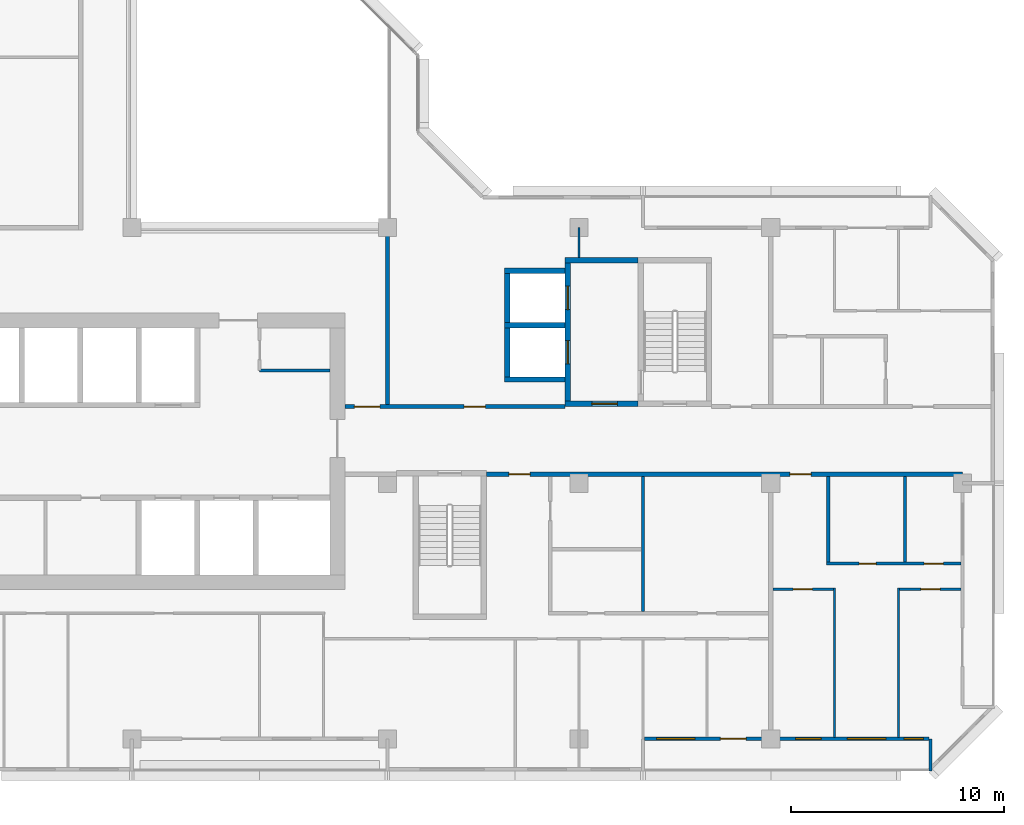
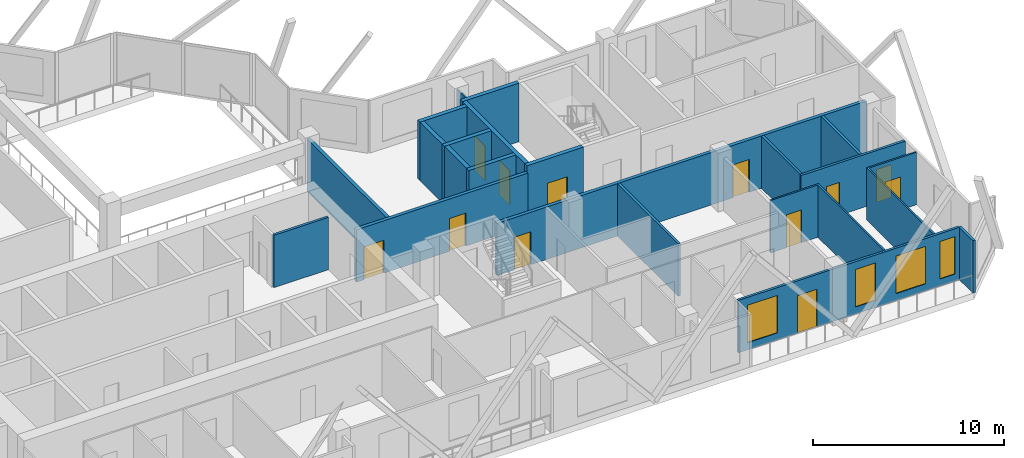
# One storey, part 7 of 16: 23 walls, 12 doors, 4 windows, 16 openings.
"""IFC4 building model written with IfcOpenShell, lengths in metres."""

from ifc_helpers import new_model, si_unit, direction, frame, frame_2d, origin, place, context, subcontext, project, spatial, rectangle, extrude, material, layer, layer_set, type_object, element, fill, save


model = new_model("IFC4")

# Units and contexts
model_context = context("Model", 3, precision=1e-05, world=origin(), true_north=direction((0.0, 1.0)))
body_context = subcontext(model_context, "Body", "Model", "MODEL_VIEW")
ifc_project = project(units=[si_unit("LENGTHUNIT", "METRE"), si_unit("AREAUNIT", "SQUARE_METRE"), si_unit("VOLUMEUNIT", "CUBIC_METRE"), si_unit("PLANEANGLEUNIT", "RADIAN"), si_unit("MASSUNIT", "GRAM", prefix="KILO")], contexts=[model_context])

# Site, building, storey
site_placement = place(None, origin())
site = spatial("IfcSite", under=ifc_project, at=site_placement, CompositionType="ELEMENT")
building_placement = place(site_placement, origin())
building = spatial("IfcBuilding", under=site, at=building_placement, Name="Chenar Terraces", CompositionType="ELEMENT")
storey_placement = place(building_placement, frame((0.0, 0.0, 219.14990234375)))
storey = spatial("IfcBuildingStorey", under=building, at=storey_placement, Name="L51", CompositionType="ELEMENT", Elevation=219.14990234375)

# Wall
ifc_material_1 = material(Name="Gypsum board on steel studs", Category="steel")
ifc_layer_1 = layer(ifc_material_1, 0.14990234375)
ifc_layer_set_1 = layer_set([ifc_layer_1], Name="Gypsum board on steel studs")
wall_type_1 = type_object("IfcWallType", Name="Core partition 150 gypsum board", PredefinedType="PARTITIONING", material=ifc_layer_set_1)
wall_1_placement = place(storey_placement, frame((30.0, 17.300048828125, 0.0), z_axis=(0.0, 0.0, 1.0), x_axis=(1.0, 0.0, 0.0)))
element("IfcWall", 1, at=wall_1_placement, inside=storey, type_object=wall_type_1, Name="Core partition CP1 vestibule room south wall", PredefinedType="PARTITIONING", context=body_context, shape_type="SweptSolid", body=[
    extrude(rectangle(XDim=3.300048828125, YDim=0.14990234375, at=frame_2d((1.64990234375, 0.0))), origin(), (0.0, 0.0, 1.0), 3.35009765625),
])

# Wall, opening, door
ifc_material_2 = material(Name="Concrete C60/75", Category="concrete")
ifc_layer_2 = layer(ifc_material_2, 0.25)
ifc_layer_set_2 = layer_set([ifc_layer_2], Name="Concrete C60/75")
wall_type_2 = type_object("IfcWallType", Name="Core wall 250 Concrete C60/75", PredefinedType="SHEAR", material=ifc_layer_set_2)
wall_2_placement = place(storey_placement, frame((44.35009765625, 15.72509765625, 0.0), z_axis=(0.0, 0.0, 1.0), x_axis=(1.0, 0.0, 0.0)))
wall_2 = element("IfcWall", 2, at=wall_2_placement, inside=storey, type_object=wall_type_2, Name="Core wall F3_LS L51", PredefinedType="SHEAR", context=body_context, shape_type="SweptSolid", body=[
    extrude(rectangle(XDim=3.4248046875, YDim=0.25, at=frame_2d((1.71240234375, 0.0))), origin(), (0.0, 0.0, 1.0), 3.75),
])
opening_1_placement = place(wall_2_placement, frame((1.25, 0.0, 0.0)))
opening_1 = element("IfcOpeningElement", 3, at=opening_1_placement, cuts=wall_2, Name="Opening DL51-C10", PredefinedType="OPENING", context=body_context, shape_type="SweptSolid", body=[
    extrude(rectangle(XDim=1.199951171875, YDim=2.199951171875, at=frame_2d((0.60009765625, 1.10009765625))), frame((0.0, 0.135009765625, 0.0), z_axis=(0.0, -1.0, 0.0), x_axis=(1.0, 0.0, 0.0)), (0.0, 0.0, 1.0), 0.27001953125),
])
ifc_material_3 = material(Name="Steel-framed fire-resisting door leaf", Category="steel")
door_type_1 = type_object("IfcDoorType", Name="Lobby fire door FD60 1200 x 2200", OperationType="SINGLE_SWING_LEFT", PredefinedType="DOOR", material=ifc_material_3)
door_1_placement = place(opening_1_placement, origin())
door_1 = element("IfcDoor", 4, at=door_1_placement, inside=storey, type_object=door_type_1, Name="Core door DL51-C10", OperationType="SINGLE_SWING_RIGHT", OverallHeight=2.199951171875, OverallWidth=1.199951171875, PredefinedType="DOOR", context=body_context, shape_type="SweptSolid", body=[
    extrude(rectangle(XDim=1.199951171875, YDim=2.199951171875, at=frame_2d((0.60009765625, 1.10009765625))), frame((0.0, 0.02490234375, 0.0), z_axis=(0.0, -1.0, 0.0), x_axis=(1.0, 0.0, 0.0)), (0.0, 0.0, 1.0), 0.050048828125),
])
fill(opening_1, door_1)

# Wall
wall_3_placement = place(storey_placement, frame((44.35009765625, 22.47509765625, 0.0), z_axis=(0.0, 0.0, 1.0), x_axis=(1.0, 0.0, 0.0)))
element("IfcWall", 5, at=wall_3_placement, inside=storey, type_object=wall_type_2, Name="Core wall F3_LN L51", PredefinedType="SHEAR", context=body_context, shape_type="SweptSolid", body=[
    extrude(rectangle(XDim=3.4248046875, YDim=0.25, at=frame_2d((1.71240234375, 0.0))), origin(), (0.0, 0.0, 1.0), 3.75),
])

# Wall, openings, doors
wall_4_placement = place(storey_placement, frame((44.47509765625, 15.85009765625, 0.0), z_axis=(0.0, 0.0, 1.0), x_axis=(0.0, 1.0, 0.0)))
wall_4 = element("IfcWall", 6, at=wall_4_placement, inside=storey, type_object=wall_type_2, Name="Core wall F3_LW L51", PredefinedType="SHEAR", context=body_context, shape_type="SweptSolid", body=[
    extrude(rectangle(XDim=6.5, YDim=0.25, at=frame_2d((3.25, 0.0))), origin(), (0.0, 0.0, 1.0), 3.75),
])
opening_2_placement = place(wall_4_placement, frame((1.75, 0.0, 0.0)))
opening_2 = element("IfcOpeningElement", 7, at=opening_2_placement, cuts=wall_4, Name="Opening DL51-LD8", PredefinedType="OPENING", context=body_context, shape_type="SweptSolid", body=[
    extrude(rectangle(XDim=1.10009765625, YDim=2.199951171875, at=frame_2d((0.550048828125, 1.10009765625))), frame((0.0, 0.135009765625, 0.0), z_axis=(0.0, -1.0, 0.0), x_axis=(1.0, 0.0, 0.0)), (0.0, 0.0, 1.0), 0.27001953125),
])
opening_3_placement = place(wall_4_placement, frame((4.300048828125, 0.0, 0.0)))
opening_3 = element("IfcOpeningElement", 8, at=opening_3_placement, cuts=wall_4, Name="Opening DL51-LD9", PredefinedType="OPENING", context=body_context, shape_type="SweptSolid", body=[
    extrude(rectangle(XDim=1.10009765625, YDim=2.199951171875, at=frame_2d((0.550048828125, 1.10009765625))), frame((0.0, 0.135009765625, 0.0), z_axis=(0.0, -1.0, 0.0), x_axis=(1.0, 0.0, 0.0)), (0.0, 0.0, 1.0), 0.27001953125),
])
ifc_material_4 = material(Name="Stainless steel", Category="steel")
door_type_2 = type_object("IfcDoorType", Name="Lift landing door 1100 x 2200 sliding", OperationType="DOUBLE_DOOR_SLIDING", PredefinedType="DOOR", material=ifc_material_4)
door_2_placement = place(opening_2_placement, origin())
door_2 = element("IfcDoor", 9, at=door_2_placement, inside=storey, type_object=door_type_2, Name="Landing door F3", OperationType="DOUBLE_DOOR_SLIDING", OverallHeight=2.199951171875, OverallWidth=1.10009765625, PredefinedType="DOOR", context=body_context, shape_type="SweptSolid", body=[
    extrude(rectangle(XDim=1.10009765625, YDim=2.199951171875, at=frame_2d((0.550048828125, 1.10009765625))), frame((0.0, 0.02490234375, 0.0), z_axis=(0.0, -1.0, 0.0), x_axis=(1.0, 0.0, 0.0)), (0.0, 0.0, 1.0), 0.050048828125),
])
fill(opening_2, door_2)
door_3_placement = place(opening_3_placement, origin())
door_3 = element("IfcDoor", 10, at=door_3_placement, inside=storey, type_object=door_type_2, Name="Landing door F4", OperationType="DOUBLE_DOOR_SLIDING", OverallHeight=2.199951171875, OverallWidth=1.10009765625, PredefinedType="DOOR", context=body_context, shape_type="SweptSolid", body=[
    extrude(rectangle(XDim=1.10009765625, YDim=2.199951171875, at=frame_2d((0.550048828125, 1.10009765625))), frame((0.0, 0.02490234375, 0.0), z_axis=(0.0, -1.0, 0.0), x_axis=(1.0, 0.0, 0.0)), (0.0, 0.0, 1.0), 0.050048828125),
])
fill(opening_3, door_3)

# Walls
for number, where, z_axis, x_axis, name in (
    (11, (41.5, 16.875, 0.0), (0.0, 0.0, 1.0), (1.0, 0.0, 0.0), "Core wall F3_SS L51"),
    (12, (41.5, 19.425048828125, 0.0), (0.0, 0.0, 1.0), (1.0, 0.0, 0.0), "Core wall F3_SM L51"),
    (13, (41.5, 21.97509765625, 0.0), (0.0, 0.0, 1.0), (1.0, 0.0, 0.0), "Core wall F4_SN L51"),
):
    element("IfcWall", number, at=place(storey_placement, frame(where, z_axis=z_axis, x_axis=x_axis)), inside=storey, type_object=wall_type_2, Name=name, PredefinedType="SHEAR", context=body_context, shape_type="SweptSolid", body=[
        extrude(rectangle(XDim=2.85009765625, YDim=0.25, at=frame_2d((1.425048828125, 0.0))), origin(), (0.0, 0.0, 1.0), 3.75),
    ])
for number, where, z_axis, x_axis, name in (
    (14, (41.625, 17.0, 0.0), (0.0, 0.0, 1.0), (0.0, 1.0, 0.0), "Core wall F3_SW L51"),
    (15, (41.625, 19.550048828125, 0.0), (0.0, 0.0, 1.0), (0.0, 1.0, 0.0), "Core wall F4_SW L51"),
):
    element("IfcWall", number, at=place(storey_placement, frame(where, z_axis=z_axis, x_axis=x_axis)), inside=storey, type_object=wall_type_2, Name=name, PredefinedType="SHEAR", context=body_context, shape_type="SweptSolid", body=[
        extrude(rectangle(XDim=2.300048828125, YDim=0.25, at=frame_2d((1.14990234375, 0.0))), origin(), (0.0, 0.0, 1.0), 3.75),
    ])

# Wall, openings, doors
ifc_material_5 = material(Name="Gypsum board on steel studs with fire boards", Category="steel")
ifc_layer_3 = layer(ifc_material_5, 0.199951171875)
ifc_layer_set_3 = layer_set([ifc_layer_3], Name="Gypsum board on steel studs with fire boards")
wall_type_3 = type_object("IfcWallType", Name="Corridor wall 200", PredefinedType="PARTITIONING", material=ifc_layer_set_3)
wall_5_placement = place(storey_placement, frame((34.0, 15.60009765625, 0.0), z_axis=(0.0, 0.0, 1.0), x_axis=(1.0, 0.0, 0.0)))
wall_5 = element("IfcWall", 16, at=wall_5_placement, inside=storey, type_object=wall_type_3, Name="Partition L51-064", PredefinedType="PARTITIONING", context=body_context, shape_type="SweptSolid", body=[
    extrude(rectangle(XDim=10.35009765625, YDim=0.199951171875, at=frame_2d((5.175048828125, 0.0))), origin(), (0.0, 0.0, 1.0), 3.35009765625),
])
opening_4_placement = place(wall_5_placement, frame((5.60009765625, 0.0, 0.0)))
opening_4 = element("IfcOpeningElement", 17, at=opening_4_placement, cuts=wall_5, Name="Opening DL51-3", PredefinedType="OPENING", context=body_context, shape_type="SweptSolid", body=[
    extrude(rectangle(XDim=1.0, YDim=2.10009765625, at=frame_2d((0.5, 1.050048828125))), frame((0.0, 0.10986328125, 0.0), z_axis=(0.0, -1.0, 0.0), x_axis=(1.0, 0.0, 0.0)), (0.0, 0.0, 1.0), 0.219970703125),
])
opening_5_placement = place(wall_5_placement, frame((0.449951171875, 0.0, 0.0)))
opening_5 = element("IfcOpeningElement", 18, at=opening_5_placement, cuts=wall_5, Name="Opening DL51-38", PredefinedType="OPENING", context=body_context, shape_type="SweptSolid", body=[
    extrude(rectangle(XDim=1.199951171875, YDim=2.10009765625, at=frame_2d((0.60009765625, 1.050048828125))), frame((0.0, 0.10986328125, 0.0), z_axis=(0.0, -1.0, 0.0), x_axis=(1.0, 0.0, 0.0)), (0.0, 0.0, 1.0), 0.219970703125),
])
ifc_material_6 = material(Name="Steel-framed fire-resisting door leaf", Category="steel")
door_type_3 = type_object("IfcDoorType", Name="Fire door FD60 1000 x 2100", OperationType="SINGLE_SWING_LEFT", PredefinedType="DOOR", material=ifc_material_6)
door_4_placement = place(opening_4_placement, origin())
door_4 = element("IfcDoor", 19, at=door_4_placement, inside=storey, type_object=door_type_3, Name="Door DL51-3", OperationType="SINGLE_SWING_RIGHT", OverallHeight=2.10009765625, OverallWidth=1.0, PredefinedType="DOOR", context=body_context, shape_type="SweptSolid", body=[
    extrude(rectangle(XDim=1.0, YDim=2.10009765625, at=frame_2d((0.5, 1.050048828125))), frame((0.0, 0.02490234375, 0.0), z_axis=(0.0, -1.0, 0.0), x_axis=(1.0, 0.0, 0.0)), (0.0, 0.0, 1.0), 0.050048828125),
])
fill(opening_4, door_4)
ifc_material_7 = material(Name="Steel-framed fire-resisting door leaf", Category="steel")
door_type_4 = type_object("IfcDoorType", Name="Fire door FD60 1200 x 2100", OperationType="SINGLE_SWING_LEFT", PredefinedType="DOOR", material=ifc_material_7)
door_5_placement = place(opening_5_placement, origin())
door_5 = element("IfcDoor", 20, at=door_5_placement, inside=storey, type_object=door_type_4, Name="Door DL51-38", OperationType="SINGLE_SWING_RIGHT", OverallHeight=2.10009765625, OverallWidth=1.199951171875, PredefinedType="DOOR", context=body_context, shape_type="SweptSolid", body=[
    extrude(rectangle(XDim=1.199951171875, YDim=2.10009765625, at=frame_2d((0.60009765625, 1.050048828125))), frame((0.0, 0.02490234375, 0.0), z_axis=(0.0, -1.0, 0.0), x_axis=(1.0, 0.0, 0.0)), (0.0, 0.0, 1.0), 0.050048828125),
])
fill(opening_5, door_5)

# Wall
wall_6_placement = place(storey_placement, frame((36.0, 15.699951171875, 0.0), z_axis=(0.0, 0.0, 1.0), x_axis=(0.0, 1.0, 0.0)))
element("IfcWall", 21, at=wall_6_placement, inside=storey, type_object=wall_type_3, Name="Partition L51-065", PredefinedType="PARTITIONING", context=body_context, shape_type="SweptSolid", body=[
    extrude(rectangle(XDim=8.300048828125, YDim=0.199951171875, at=frame_2d((4.14990234375, 0.0))), origin(), (0.0, 0.0, 1.0), 3.35009765625),
])

# Wall, openings, doors
wall_7_placement = place(storey_placement, frame((40.64990234375, 12.425048828125, 0.0), z_axis=(0.0, 0.0, 1.0), x_axis=(1.0, 0.0, 0.0)))
wall_7 = element("IfcWall", 22, at=wall_7_placement, inside=storey, type_object=wall_type_3, Name="Partition L51-066", PredefinedType="PARTITIONING", context=body_context, shape_type="SweptSolid", body=[
    extrude(rectangle(XDim=22.35009765625, YDim=0.199951171875, at=frame_2d((11.175048828125, 0.0))), origin(), (0.0, 0.0, 1.0), 3.35009765625),
])
opening_6_placement = place(wall_7_placement, frame((14.25, 0.0, 0.0)))
opening_6 = element("IfcOpeningElement", 23, at=opening_6_placement, cuts=wall_7, Name="Opening DL51-13", PredefinedType="OPENING", context=body_context, shape_type="SweptSolid", body=[
    extrude(rectangle(XDim=1.0, YDim=2.10009765625, at=frame_2d((0.5, 1.050048828125))), frame((0.0, 0.10986328125, 0.0), z_axis=(0.0, -1.0, 0.0), x_axis=(1.0, 0.0, 0.0)), (0.0, 0.0, 1.0), 0.219970703125),
])
opening_7_placement = place(wall_7_placement, frame((1.050048828125, 0.0, 0.0)))
opening_7 = element("IfcOpeningElement", 24, at=opening_7_placement, cuts=wall_7, Name="Opening DL51-56", PredefinedType="OPENING", context=body_context, shape_type="SweptSolid", body=[
    extrude(rectangle(XDim=1.0, YDim=2.10009765625, at=frame_2d((0.5, 1.050048828125))), frame((0.0, 0.10986328125, 0.0), z_axis=(0.0, -1.0, 0.0), x_axis=(1.0, 0.0, 0.0)), (0.0, 0.0, 1.0), 0.219970703125),
])
ifc_material_8 = material(Name="Steel-framed fire-resisting door leaf", Category="steel")
door_type_5 = type_object("IfcDoorType", Name="Fire door FD30S 1000 x 2100", OperationType="SINGLE_SWING_LEFT", PredefinedType="DOOR", material=ifc_material_8)
door_6_placement = place(opening_6_placement, frame((1.0, 0.0, 0.0), z_axis=(0.0, 0.0, 1.0), x_axis=(-1.0, 0.0, 0.0)))
door_6 = element("IfcDoor", 25, at=door_6_placement, inside=storey, type_object=door_type_5, Name="Door DL51-13", OperationType="SINGLE_SWING_RIGHT", OverallHeight=2.10009765625, OverallWidth=1.0, PredefinedType="DOOR", context=body_context, shape_type="SweptSolid", body=[
    extrude(rectangle(XDim=1.0, YDim=2.10009765625, at=frame_2d((0.5, 1.050048828125))), frame((0.0, 0.02490234375, 0.0), z_axis=(0.0, -1.0, 0.0), x_axis=(1.0, 0.0, 0.0)), (0.0, 0.0, 1.0), 0.050048828125),
])
fill(opening_6, door_6)
door_7_placement = place(opening_7_placement, origin())
door_7 = element("IfcDoor", 26, at=door_7_placement, inside=storey, type_object=door_type_5, Name="Door DL51-56", OperationType="SINGLE_SWING_LEFT", OverallHeight=2.10009765625, OverallWidth=1.0, PredefinedType="DOOR", context=body_context, shape_type="SweptSolid", body=[
    extrude(rectangle(XDim=1.0, YDim=2.10009765625, at=frame_2d((0.5, 1.050048828125))), frame((0.0, 0.02490234375, 0.0), z_axis=(0.0, -1.0, 0.0), x_axis=(1.0, 0.0, 0.0)), (0.0, 0.0, 1.0), 0.050048828125),
])
fill(opening_7, door_7)

# Wall, openings, windows, door
ifc_material_9 = material(Name="Aluminium framed glazing", Category="aluminium")
ifc_layer_4 = layer(ifc_material_9, 0.14990234375)
ifc_layer_set_4 = layer_set([ifc_layer_4], Name="Aluminium framed glazing")
wall_type_4 = type_object("IfcWallType", Name="Glazed loggia back wall 150", PredefinedType="SOLIDWALL", material=ifc_layer_set_4)
wall_8_placement = place(storey_placement, frame((48.074951171875, 0.0, 0.0), z_axis=(0.0, 0.0, 1.0), x_axis=(1.0, 0.0, 0.0)))
wall_8 = element("IfcWall", 27, at=wall_8_placement, inside=storey, type_object=wall_type_4, Name="Glazed loggia back wall", PredefinedType="SOLIDWALL", context=body_context, shape_type="SweptSolid", body=[
    extrude(rectangle(XDim=13.35009765625, YDim=0.14990234375, at=frame_2d((6.675048828125, 0.0))), origin(), (0.0, 0.0, 1.0), 3.35009765625),
])
opening_8_placement = place(wall_8_placement, frame((0.5625, 0.0, 0.449951171875)))
opening_8 = element("IfcOpeningElement", 28, at=opening_8_placement, cuts=wall_8, Name="Opening W180x240", PredefinedType="OPENING", context=body_context, shape_type="SweptSolid", body=[
    extrude(rectangle(XDim=1.800048828125, YDim=2.39990234375, at=frame_2d((0.89990234375, 1.199951171875))), frame((0.0, 0.0849609375, 0.0), z_axis=(0.0, -1.0, 0.0), x_axis=(1.0, 0.0, 0.0)), (0.0, 0.0, 1.0), 0.169921875),
])
opening_9_placement = place(wall_8_placement, frame((3.5625, 0.0, 0.0)))
opening_9 = element("IfcOpeningElement", 29, at=opening_9_placement, cuts=wall_8, Name="Opening DL51-G7", PredefinedType="OPENING", context=body_context, shape_type="SweptSolid", body=[
    extrude(rectangle(XDim=1.199951171875, YDim=2.39990234375, at=frame_2d((0.60009765625, 1.199951171875))), frame((0.0, 0.0849609375, 0.0), z_axis=(0.0, -1.0, 0.0), x_axis=(1.0, 0.0, 0.0)), (0.0, 0.0, 1.0), 0.169921875),
])
opening_10_placement = place(wall_8_placement, frame((7.08740234375, 0.0, 0.449951171875)))
opening_10 = element("IfcOpeningElement", 30, at=opening_10_placement, cuts=wall_8, Name="Opening W120x240", PredefinedType="OPENING", context=body_context, shape_type="SweptSolid", body=[
    extrude(rectangle(XDim=1.199951171875, YDim=2.39990234375, at=frame_2d((0.60009765625, 1.199951171875))), frame((0.0, 0.0849609375, 0.0), z_axis=(0.0, -1.0, 0.0), x_axis=(1.0, 0.0, 0.0)), (0.0, 0.0, 1.0), 0.169921875),
])
opening_11_placement = place(wall_8_placement, frame((9.52490234375, 0.0, 0.449951171875)))
opening_11 = element("IfcOpeningElement", 31, at=opening_11_placement, cuts=wall_8, Name="Opening W180x240", PredefinedType="OPENING", context=body_context, shape_type="SweptSolid", body=[
    extrude(rectangle(XDim=1.800048828125, YDim=2.39990234375, at=frame_2d((0.89990234375, 1.199951171875))), frame((0.0, 0.0849609375, 0.0), z_axis=(0.0, -1.0, 0.0), x_axis=(1.0, 0.0, 0.0)), (0.0, 0.0, 1.0), 0.169921875),
])
opening_12_placement = place(wall_8_placement, frame((12.1875, 0.0, 0.449951171875)))
opening_12 = element("IfcOpeningElement", 32, at=opening_12_placement, cuts=wall_8, Name="Opening W90x240", PredefinedType="OPENING", context=body_context, shape_type="SweptSolid", body=[
    extrude(rectangle(XDim=0.89990234375, YDim=2.39990234375, at=frame_2d((0.449951171875, 1.199951171875))), frame((0.0, 0.0849609375, 0.0), z_axis=(0.0, -1.0, 0.0), x_axis=(1.0, 0.0, 0.0)), (0.0, 0.0, 1.0), 0.169921875),
])
ifc_material_10 = material(Name="Low emissivity double glazing, aluminium frame", Category="aluminium")
window_type_1 = type_object("IfcWindowType", Name="Fixed light 1200 x 2400", PartitioningType="SINGLE_PANEL", PredefinedType="WINDOW", material=ifc_material_10)
window_1_placement = place(opening_10_placement, origin())
window_1 = element("IfcWindow", 33, at=window_1_placement, inside=storey, type_object=window_type_1, Name="Window", OverallHeight=2.39990234375, OverallWidth=1.199951171875, PartitioningType="SINGLE_PANEL", PredefinedType="WINDOW", context=body_context, shape_type="SweptSolid", body=[
    extrude(rectangle(XDim=1.199951171875, YDim=2.39990234375, at=frame_2d((0.60009765625, 1.199951171875))), frame((0.0, 0.030029296875, 0.0), z_axis=(0.0, -1.0, 0.0), x_axis=(1.0, 0.0, 0.0)), (0.0, 0.0, 1.0), 0.06005859375),
])
fill(opening_10, window_1)
ifc_material_11 = material(Name="Low emissivity double glazing, aluminium frame", Category="aluminium")
window_type_2 = type_object("IfcWindowType", Name="Fixed light 1800 x 2400", PartitioningType="SINGLE_PANEL", PredefinedType="WINDOW", material=ifc_material_11)
window_2_placement = place(opening_8_placement, origin())
window_2 = element("IfcWindow", 34, at=window_2_placement, inside=storey, type_object=window_type_2, Name="Window", OverallHeight=2.39990234375, OverallWidth=1.800048828125, PartitioningType="SINGLE_PANEL", PredefinedType="WINDOW", context=body_context, shape_type="SweptSolid", body=[
    extrude(rectangle(XDim=1.800048828125, YDim=2.39990234375, at=frame_2d((0.89990234375, 1.199951171875))), frame((0.0, 0.030029296875, 0.0), z_axis=(0.0, -1.0, 0.0), x_axis=(1.0, 0.0, 0.0)), (0.0, 0.0, 1.0), 0.06005859375),
])
fill(opening_8, window_2)
window_3_placement = place(opening_11_placement, origin())
window_3 = element("IfcWindow", 35, at=window_3_placement, inside=storey, type_object=window_type_2, Name="Window", OverallHeight=2.39990234375, OverallWidth=1.800048828125, PartitioningType="SINGLE_PANEL", PredefinedType="WINDOW", context=body_context, shape_type="SweptSolid", body=[
    extrude(rectangle(XDim=1.800048828125, YDim=2.39990234375, at=frame_2d((0.89990234375, 1.199951171875))), frame((0.0, 0.030029296875, 0.0), z_axis=(0.0, -1.0, 0.0), x_axis=(1.0, 0.0, 0.0)), (0.0, 0.0, 1.0), 0.06005859375),
])
fill(opening_11, window_3)
ifc_material_12 = material(Name="Low emissivity double glazing, aluminium frame", Category="aluminium")
window_type_3 = type_object("IfcWindowType", Name="Fixed light 900 x 2400", PartitioningType="SINGLE_PANEL", PredefinedType="WINDOW", material=ifc_material_12)
window_4_placement = place(opening_12_placement, origin())
window_4 = element("IfcWindow", 36, at=window_4_placement, inside=storey, type_object=window_type_3, Name="Window", OverallHeight=2.39990234375, OverallWidth=0.89990234375, PartitioningType="SINGLE_PANEL", PredefinedType="WINDOW", context=body_context, shape_type="SweptSolid", body=[
    extrude(rectangle(XDim=0.89990234375, YDim=2.39990234375, at=frame_2d((0.449951171875, 1.199951171875))), frame((0.0, 0.030029296875, 0.0), z_axis=(0.0, -1.0, 0.0), x_axis=(1.0, 0.0, 0.0)), (0.0, 0.0, 1.0), 0.06005859375),
])
fill(opening_12, window_4)
ifc_material_13 = material(Name="Low emissivity double glazing, aluminium frame", Category="aluminium")
door_type_6 = type_object("IfcDoorType", Name="Loggia glazed double door 1200 x 2400", OperationType="DOUBLE_DOOR_SINGLE_SWING", PredefinedType="DOOR", material=ifc_material_13)
door_8_placement = place(opening_9_placement, frame((1.199951171875, 0.0, 0.0), z_axis=(0.0, 0.0, 1.0), x_axis=(-1.0, 0.0, 0.0)))
door_8 = element("IfcDoor", 37, at=door_8_placement, inside=storey, type_object=door_type_6, Name="Loggia glazed door", OperationType="DOUBLE_DOOR_SINGLE_SWING", OverallHeight=2.39990234375, OverallWidth=1.199951171875, PredefinedType="DOOR", context=body_context, shape_type="SweptSolid", body=[
    extrude(rectangle(XDim=1.199951171875, YDim=2.39990234375, at=frame_2d((0.60009765625, 1.199951171875))), frame((0.0, 0.02490234375, 0.0), z_axis=(0.0, -1.0, 0.0), x_axis=(1.0, 0.0, 0.0)), (0.0, 0.0, 1.0), 0.050048828125),
])
fill(opening_9, door_8)

# Wall
ifc_material_14 = material(Name="Gypsum board on steel studs", Category="steel")
ifc_layer_5 = layer(ifc_material_14, 0.10009765625)
ifc_layer_set_5 = layer_set([ifc_layer_5], Name="Gypsum board on steel studs")
wall_type_5 = type_object("IfcWallType", Name="Gypsum partition 100", PredefinedType="PARTITIONING", material=ifc_layer_set_5)
wall_9_placement = place(storey_placement, frame((45.0, 22.60009765625, 0.0), z_axis=(0.0, 0.0, 1.0), x_axis=(0.0, 1.0, 0.0)))
element("IfcWall", 38, at=wall_9_placement, inside=storey, type_object=wall_type_5, Name="Partition L51-072", PredefinedType="PARTITIONING", context=body_context, shape_type="SweptSolid", body=[
    extrude(rectangle(XDim=1.39990234375, YDim=0.10009765625, at=frame_2d((0.699951171875, 0.0))), origin(), (0.0, 0.0, 1.0), 3.35009765625),
])

# Wall, opening, door
wall_10_placement = place(storey_placement, frame((54.10009765625, 7.02490234375, 0.0), z_axis=(0.0, 0.0, 1.0), x_axis=(1.0, 0.0, 0.0)))
wall_10 = element("IfcWall", 39, at=wall_10_placement, inside=storey, type_object=wall_type_5, Name="Partition L51-079", PredefinedType="PARTITIONING", context=body_context, shape_type="SweptSolid", body=[
    extrude(rectangle(XDim=2.849853515625, YDim=0.10009765625, at=frame_2d((1.4248046875, 0.0))), origin(), (0.0, 0.0, 1.0), 3.35009765625),
])
opening_13_placement = place(wall_10_placement, frame((0.949951171875, 0.0, 0.0)))
opening_13 = element("IfcOpeningElement", 40, at=opening_13_placement, cuts=wall_10, Name="Opening DL51-10", PredefinedType="OPENING", context=body_context, shape_type="SweptSolid", body=[
    extrude(rectangle(XDim=0.89990234375, YDim=2.10009765625, at=frame_2d((0.449951171875, 1.050048828125))), frame((0.0, 0.06005859375, 0.0), z_axis=(0.0, -1.0, 0.0), x_axis=(1.0, 0.0, 0.0)), (0.0, 0.0, 1.0), 0.1201171875),
])
ifc_material_15 = material(Name="Veneered timber door leaf", Category="wood")
door_type_7 = type_object("IfcDoorType", Name="Door 900 x 2100", OperationType="SINGLE_SWING_LEFT", PredefinedType="DOOR", material=ifc_material_15)
door_9_placement = place(opening_13_placement, frame((0.89990234375, 0.0, 0.0), z_axis=(0.0, 0.0, 1.0), x_axis=(-1.0, 0.0, 0.0)))
door_9 = element("IfcDoor", 41, at=door_9_placement, inside=storey, type_object=door_type_7, Name="Door DL51-10", OperationType="SINGLE_SWING_LEFT", OverallHeight=2.10009765625, OverallWidth=0.89990234375, PredefinedType="DOOR", context=body_context, shape_type="SweptSolid", body=[
    extrude(rectangle(XDim=0.89990234375, YDim=2.10009765625, at=frame_2d((0.449951171875, 1.050048828125))), frame((0.0, 0.02490234375, 0.0), z_axis=(0.0, -1.0, 0.0), x_axis=(1.0, 0.0, 0.0)), (0.0, 0.0, 1.0), 0.050048828125),
])
fill(opening_13, door_9)

# Walls
for number, where, z_axis, x_axis, name in (
    (42, (57.0, 0.073974609375, 0.0), (0.0, 0.0, 1.0), (0.0, 1.0, 0.0), "Partition L51-085"),
    (43, (60.0, 0.073974609375, 0.0), (0.0, 0.0, 1.0), (0.0, 1.0, 0.0), "Partition L51-088"),
):
    element("IfcWall", number, at=place(storey_placement, frame(where, z_axis=z_axis, x_axis=x_axis)), inside=storey, type_object=wall_type_5, Name=name, PredefinedType="PARTITIONING", context=body_context, shape_type="SweptSolid", body=[
        extrude(rectangle(XDim=7.0009765625, YDim=0.10009765625, at=frame_2d((3.50048828125, 0.0))), origin(), (0.0, 0.0, 1.0), 3.35009765625),
    ])

# Wall, opening, door
wall_11_placement = place(storey_placement, frame((60.050048828125, 7.02490234375, 0.0), z_axis=(0.0, 0.0, 1.0), x_axis=(1.0, 0.0, 0.0)))
wall_11 = element("IfcWall", 44, at=wall_11_placement, inside=storey, type_object=wall_type_5, Name="Partition L51-090", PredefinedType="PARTITIONING", context=body_context, shape_type="SweptSolid", body=[
    extrude(rectangle(XDim=2.8759765625, YDim=0.10009765625, at=frame_2d((1.43798828125, 0.0))), origin(), (0.0, 0.0, 1.0), 3.35009765625),
])
opening_14_placement = place(wall_11_placement, frame((1.0, 0.0, 0.0)))
opening_14 = element("IfcOpeningElement", 45, at=opening_14_placement, cuts=wall_11, Name="Opening DL51-11", PredefinedType="OPENING", context=body_context, shape_type="SweptSolid", body=[
    extrude(rectangle(XDim=0.89990234375, YDim=2.10009765625, at=frame_2d((0.449951171875, 1.050048828125))), frame((0.0, 0.06005859375, 0.0), z_axis=(0.0, -1.0, 0.0), x_axis=(1.0, 0.0, 0.0)), (0.0, 0.0, 1.0), 0.1201171875),
])
door_10_placement = place(opening_14_placement, frame((0.89990234375, 0.0, 0.0), z_axis=(0.0, 0.0, 1.0), x_axis=(-1.0, 0.0, 0.0)))
door_10 = element("IfcDoor", 46, at=door_10_placement, inside=storey, type_object=door_type_7, Name="Door DL51-11", OperationType="SINGLE_SWING_LEFT", OverallHeight=2.10009765625, OverallWidth=0.89990234375, PredefinedType="DOOR", context=body_context, shape_type="SweptSolid", body=[
    extrude(rectangle(XDim=0.89990234375, YDim=2.10009765625, at=frame_2d((0.449951171875, 1.050048828125))), frame((0.0, 0.02490234375, 0.0), z_axis=(0.0, -1.0, 0.0), x_axis=(1.0, 0.0, 0.0)), (0.0, 0.0, 1.0), 0.050048828125),
])
fill(opening_14, door_10)

# Walls
ifc_material_16 = material(Name="Terracotta cladding on insulated backing", Category="masonry")
ifc_layer_6 = layer(ifc_material_16, 0.14990234375)
ifc_layer_set_6 = layer_set([ifc_layer_6], Name="Terracotta cladding on insulated backing")
wall_type_6 = type_object("IfcWallType", Name="Loggia return wall 150", PredefinedType="SOLIDWALL", material=ifc_layer_set_6)
wall_12_placement = place(storey_placement, frame((61.5, -1.5, 0.0), z_axis=(0.0, 0.0, 1.0), x_axis=(0.0, 1.0, 0.0)))
element("IfcWall", 47, at=wall_12_placement, inside=storey, type_object=wall_type_6, Name="Loggia return wall", PredefinedType="SOLIDWALL", context=body_context, shape_type="SweptSolid", body=[
    extrude(rectangle(XDim=1.5, YDim=0.14990234375, at=frame_2d((0.75, 0.0))), origin(), (0.0, 0.0, 1.0), 3.35009765625),
])
ifc_material_17 = material(Name="Moisture-resistant gypsum board on steel studs", Category="steel")
ifc_layer_7 = layer(ifc_material_17, 0.14990234375)
ifc_layer_set_7 = layer_set([ifc_layer_7], Name="Moisture-resistant gypsum board on steel studs")
wall_type_7 = type_object("IfcWallType", Name="Wet-room partition 150", PredefinedType="PARTITIONING", material=ifc_layer_set_7)
wall_13_placement = place(storey_placement, frame((48.0, 5.97509765625, 0.0), z_axis=(0.0, 0.0, 1.0), x_axis=(0.0, 1.0, 0.0)))
element("IfcWall", 48, at=wall_13_placement, inside=storey, type_object=wall_type_7, Name="Partition L51-074", PredefinedType="PARTITIONING", context=body_context, shape_type="SweptSolid", body=[
    extrude(rectangle(XDim=6.349853515625, YDim=0.14990234375, at=frame_2d((3.1748046875, 0.0))), origin(), (0.0, 0.0, 1.0), 3.35009765625),
])

# Wall, openings, doors
wall_14_placement = place(storey_placement, frame((56.625, 8.22509765625, 0.0), z_axis=(0.0, 0.0, 1.0), x_axis=(1.0, 0.0, 0.0)))
wall_14 = element("IfcWall", 49, at=wall_14_placement, inside=storey, type_object=wall_type_7, Name="Partition L51-082", PredefinedType="PARTITIONING", context=body_context, shape_type="SweptSolid", body=[
    extrude(rectangle(XDim=6.301025390625, YDim=0.14990234375, at=frame_2d((3.150390625, 0.0))), origin(), (0.0, 0.0, 1.0), 3.35009765625),
])
opening_15_placement = place(wall_14_placement, frame((1.52490234375, 0.0, 0.0)))
opening_15 = element("IfcOpeningElement", 50, at=opening_15_placement, cuts=wall_14, Name="Opening DL51-9", PredefinedType="OPENING", context=body_context, shape_type="SweptSolid", body=[
    extrude(rectangle(XDim=0.800048828125, YDim=2.10009765625, at=frame_2d((0.39990234375, 1.050048828125))), frame((0.0, 0.0849609375, 0.0), z_axis=(0.0, -1.0, 0.0), x_axis=(1.0, 0.0, 0.0)), (0.0, 0.0, 1.0), 0.169921875),
])
opening_16_placement = place(wall_14_placement, frame((4.574951171875, 0.0, 0.0)))
opening_16 = element("IfcOpeningElement", 51, at=opening_16_placement, cuts=wall_14, Name="Opening DL51-12", PredefinedType="OPENING", context=body_context, shape_type="SweptSolid", body=[
    extrude(rectangle(XDim=0.89990234375, YDim=2.10009765625, at=frame_2d((0.449951171875, 1.050048828125))), frame((0.0, 0.0849609375, 0.0), z_axis=(0.0, -1.0, 0.0), x_axis=(1.0, 0.0, 0.0)), (0.0, 0.0, 1.0), 0.169921875),
])
ifc_material_18 = material(Name="Veneered timber door leaf", Category="wood")
door_type_8 = type_object("IfcDoorType", Name="Door 800 x 2100", OperationType="SINGLE_SWING_LEFT", PredefinedType="DOOR", material=ifc_material_18)
door_11_placement = place(opening_15_placement, origin())
door_11 = element("IfcDoor", 52, at=door_11_placement, inside=storey, type_object=door_type_8, Name="Door DL51-9", OperationType="SINGLE_SWING_RIGHT", OverallHeight=2.10009765625, OverallWidth=0.800048828125, PredefinedType="DOOR", context=body_context, shape_type="SweptSolid", body=[
    extrude(rectangle(XDim=0.800048828125, YDim=2.10009765625, at=frame_2d((0.39990234375, 1.050048828125))), frame((0.0, 0.02490234375, 0.0), z_axis=(0.0, -1.0, 0.0), x_axis=(1.0, 0.0, 0.0)), (0.0, 0.0, 1.0), 0.050048828125),
])
fill(opening_15, door_11)
door_12_placement = place(opening_16_placement, origin())
door_12 = element("IfcDoor", 53, at=door_12_placement, inside=storey, type_object=door_type_7, Name="Door DL51-12", OperationType="SINGLE_SWING_RIGHT", OverallHeight=2.10009765625, OverallWidth=0.89990234375, PredefinedType="DOOR", context=body_context, shape_type="SweptSolid", body=[
    extrude(rectangle(XDim=0.89990234375, YDim=2.10009765625, at=frame_2d((0.449951171875, 1.050048828125))), frame((0.0, 0.02490234375, 0.0), z_axis=(0.0, -1.0, 0.0), x_axis=(1.0, 0.0, 0.0)), (0.0, 0.0, 1.0), 0.050048828125),
])
fill(opening_16, door_12)

# Walls
for number, where, z_axis, x_axis, name in (
    (54, (56.699951171875, 8.300048828125, 0.0), (0.0, 0.0, 1.0), (0.0, 1.0, 0.0), "Partition L51-083"),
    (55, (60.300048828125, 8.300048828125, 0.0), (0.0, 0.0, 1.0), (0.0, 1.0, 0.0), "Partition L51-091"),
):
    element("IfcWall", number, at=place(storey_placement, frame(where, z_axis=z_axis, x_axis=x_axis)), inside=storey, type_object=wall_type_7, Name=name, PredefinedType="PARTITIONING", context=body_context, shape_type="SweptSolid", body=[
        extrude(rectangle(XDim=4.02490234375, YDim=0.14990234375, at=frame_2d((2.012451171875, 0.0))), origin(), (0.0, 0.0, 1.0), 3.35009765625),
    ])

save(model, "model.ifc")
